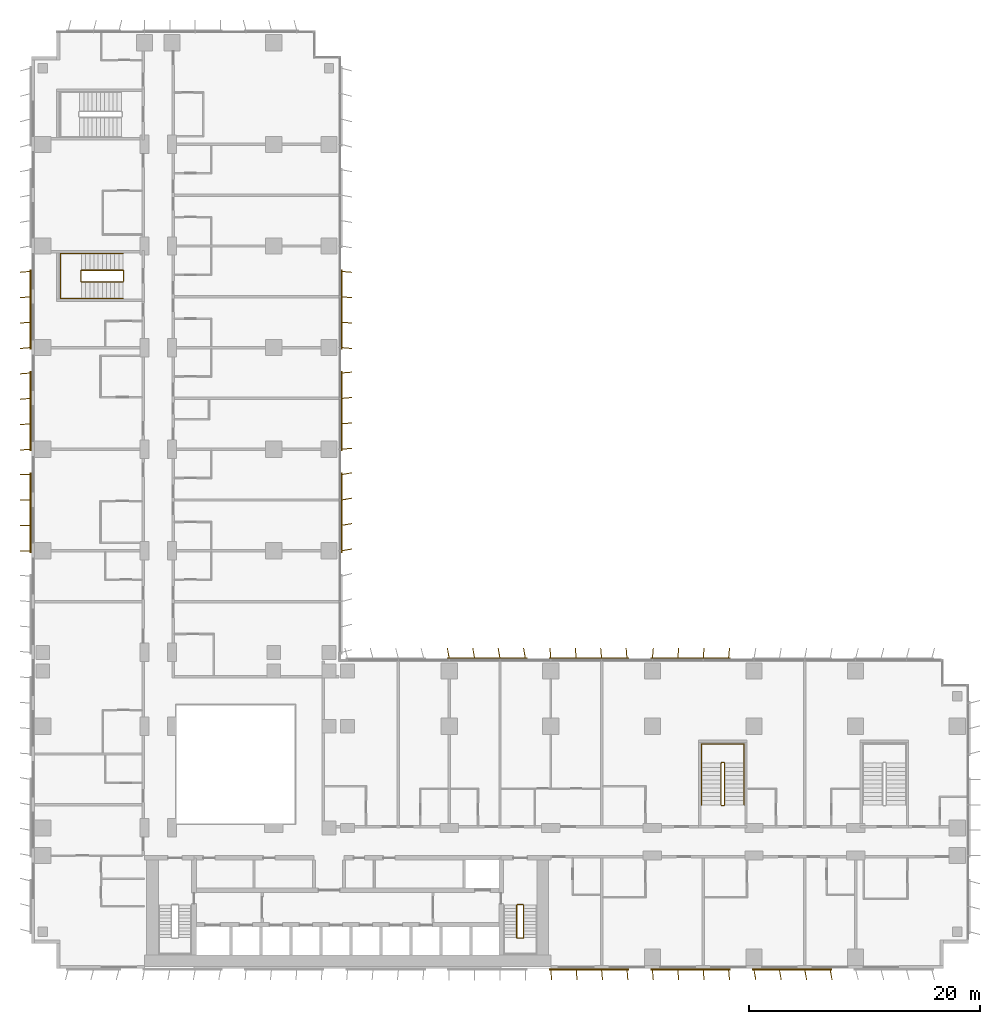
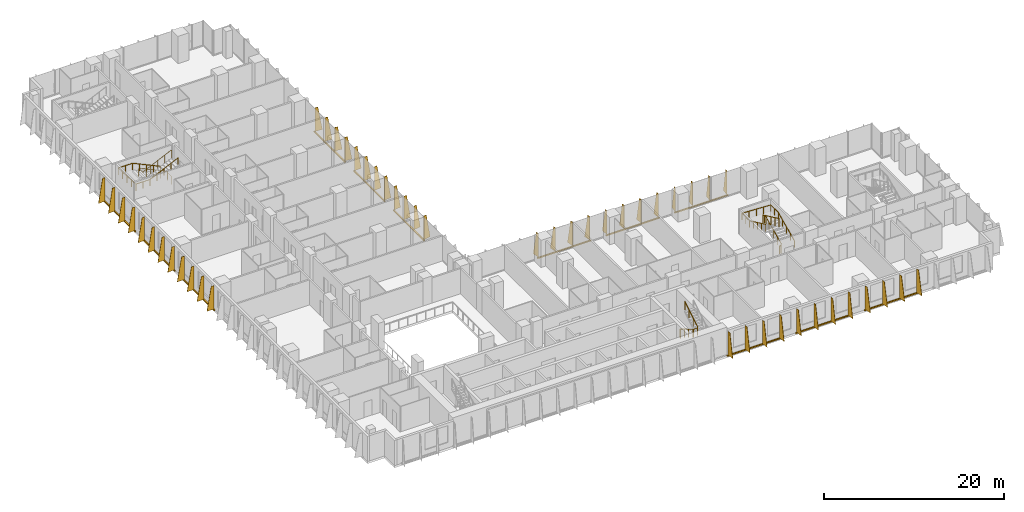
# One storey, part 22 of 24: 12 shading devices, 5 railings.
"""IFC4 building model written with IfcOpenShell, lengths in metres."""

from ifc_helpers import new_model, si_unit, direction, frame, origin, origin_2d, place, context, subcontext, project, spatial, polyline, rectangle, circle, outline, extrude, source, transform, mapped, material, layer, layer_set, type_object, element, save


model = new_model("IFC4")

# Units and contexts
model_context = context("Model", 3, precision=1e-05, world=origin(), true_north=direction((0.0, 1.0)))
body_context = subcontext(model_context, "Body", "Model", "MODEL_VIEW")
ifc_project = project(units=[si_unit("LENGTHUNIT", "METRE"), si_unit("AREAUNIT", "SQUARE_METRE"), si_unit("VOLUMEUNIT", "CUBIC_METRE"), si_unit("PLANEANGLEUNIT", "RADIAN"), si_unit("MASSUNIT", "GRAM", prefix="KILO")], contexts=[model_context])

# Site, building, storey
site_placement = place(None, origin())
site = spatial("IfcSite", under=ifc_project, at=site_placement, CompositionType="ELEMENT")
building_placement = place(site_placement, origin())
building = spatial("IfcBuilding", under=site, at=building_placement, Name="Kemantara Hotel Tower", CompositionType="ELEMENT")
storey_placement = place(building_placement, frame((0.0, 0.0, 56.199951171875)))
storey = spatial("IfcBuildingStorey", under=building, at=storey_placement, Name="L12", CompositionType="ELEMENT", Elevation=56.199951171875)

# Railings
ifc_material_1 = material(Name="Stainless steel balustrade", Category="steel")
railing_type_1 = type_object("IfcRailingType", Name="Stair guard 1100 mm", PredefinedType="GUARDRAIL", material=ifc_material_1)
railing_1_placement = place(storey_placement, frame((42.64990234375, 5.5, 3.699951171875)))
element("IfcRailing", 1, at=railing_1_placement, inside=storey, type_object=railing_type_1, Name="L12 ST2 stair guard 1", PredefinedType="GUARDRAIL", context=body_context, shape_type="SweptSolid", body=[
    extrude(circle(Radius=0.02392578125, at=origin_2d()), frame((0.0, 0.0, 1.076171875), z_axis=(0.0, -0.857275202839, -0.514858452973), x_axis=(1.0, 0.0, 0.0)), (0.0, 0.0, 1.0), 3.26611328125),
    extrude(circle(Radius=0.02392578125, at=origin_2d()), frame((0.0, -2.800048828125, -0.60546875), z_axis=(-0.273006030465, -0.27434429532, -0.922064485248), x_axis=(0.708833529934, -0.705375805398, 0.0)), (0.0, 0.0, 1.0), 0.182373046875),
    extrude(circle(Radius=0.02392578125, at=origin_2d()), frame((-0.0498046875, -2.85009765625, -0.77392578125), z_axis=(-1.0, 0.0, 0.0), x_axis=(0.0, -1.0, 0.0)), (0.0, 0.0, 1.0), 0.5),
    extrude(circle(Radius=0.02392578125, at=origin_2d()), frame((-0.5498046875, -2.85009765625, -0.77392578125), z_axis=(-0.707106781187, 0.707106781187, 0.0), x_axis=(-0.707106781187, -0.707106781187, 0.0)), (0.0, 0.0, 1.0), 0.07080078125),
    extrude(circle(Radius=0.02392578125, at=origin_2d()), frame((-0.599853515625, -2.800048828125, -0.77392578125), z_axis=(0.0, 0.857242210791, -0.514913383045), x_axis=(-1.0, 0.0, 0.0)), (0.0, 0.0, 1.0), 3.266357421875),
    extrude(circle(Radius=0.02392578125, at=origin_2d()), frame((-0.599853515625, 0.0, -2.45556640625), z_axis=(0.274243871929, 0.274243871929, -0.92172696468), x_axis=(-0.707106781187, 0.707106781187, 0.0)), (0.0, 0.0, 1.0), 0.1826171875),
    extrude(circle(Radius=0.02392578125, at=origin_2d()), frame((-0.5498046875, 0.050048828125, -2.6240234375), z_axis=(1.0, 0.0, 0.0), x_axis=(0.0, 1.0, 0.0)), (0.0, 0.0, 1.0), 0.5),
    extrude(circle(Radius=0.02099609375, at=origin_2d()), origin(), (0.0, 0.0, 1.0), 1.052001953125),
    extrude(circle(Radius=0.02099609375, at=origin_2d()), frame((0.0, -0.933349609375, -0.560546875)), (0.0, 0.0, 1.0), 1.052001953125),
    extrude(circle(Radius=0.02099609375, at=origin_2d()), frame((0.0, -1.86669921875, -1.12109375)), (0.0, 0.0, 1.0), 1.052001953125),
    extrude(circle(Radius=0.02099609375, at=origin_2d()), frame((0.0, -2.800048828125, -1.681640625)), (0.0, 0.0, 1.0), 1.052001953125),
    extrude(circle(Radius=0.02099609375, at=origin_2d()), frame((-0.0498046875, -2.85009765625, -1.849853515625)), (0.0, 0.0, 1.0), 1.052001953125),
    extrude(circle(Radius=0.02099609375, at=origin_2d()), frame((-0.5498046875, -2.85009765625, -1.849853515625)), (0.0, 0.0, 1.0), 1.052001953125),
    extrude(circle(Radius=0.02099609375, at=origin_2d()), frame((-0.599853515625, -2.800048828125, -1.849853515625)), (0.0, 0.0, 1.0), 1.052001953125),
    extrude(circle(Radius=0.02099609375, at=origin_2d()), frame((-0.599853515625, -1.86669921875, -2.410400390625)), (0.0, 0.0, 1.0), 1.052001953125),
    extrude(circle(Radius=0.02099609375, at=origin_2d()), frame((-0.599853515625, -0.933349609375, -2.97119140625)), (0.0, 0.0, 1.0), 1.052001953125),
    extrude(circle(Radius=0.02099609375, at=origin_2d()), frame((-0.599853515625, 0.0, -3.53173828125)), (0.0, 0.0, 1.0), 1.052001953125),
    extrude(circle(Radius=0.02099609375, at=origin_2d()), frame((-0.5498046875, 0.050048828125, -3.699951171875)), (0.0, 0.0, 1.0), 1.052001953125),
    extrude(circle(Radius=0.02099609375, at=origin_2d()), frame((-0.0498046875, 0.050048828125, -3.699951171875)), (0.0, 0.0, 1.0), 1.052001953125),
])
railing_2_placement = place(storey_placement, frame((59.75, 14.199951171875, 3.699951171875)))
element("IfcRailing", 2, at=railing_2_placement, inside=storey, type_object=railing_type_1, Name="L12 ST3 stair guard 1", PredefinedType="GUARDRAIL", context=body_context, shape_type="SweptSolid", body=[
    extrude(circle(Radius=0.02392578125, at=origin_2d()), frame((0.0, 0.0, 1.076171875), z_axis=(0.0, 0.906029249863, -0.423215073447), x_axis=(-1.0, 0.0, 0.0)), (0.0, 0.0, 1.0), 3.973388671875),
    extrude(circle(Radius=0.02392578125, at=origin_2d()), frame((0.0, 3.60009765625, -0.60546875), z_axis=(0.274243871929, 0.274243871929, -0.92172696468), x_axis=(-0.707106781187, 0.707106781187, 0.0)), (0.0, 0.0, 1.0), 0.1826171875),
    extrude(circle(Radius=0.02392578125, at=origin_2d()), frame((0.050048828125, 3.650146484375, -0.77392578125), z_axis=(1.0, 0.0, 0.0), x_axis=(0.0, 1.0, 0.0)), (0.0, 0.0, 1.0), 0.199951171875),
    extrude(circle(Radius=0.02392578125, at=origin_2d()), frame((0.25, 3.650146484375, -0.77392578125), z_axis=(0.707106781187, -0.707106781187, 0.0), x_axis=(0.707106781187, 0.707106781187, 0.0)), (0.0, 0.0, 1.0), 0.07080078125),
    extrude(circle(Radius=0.02392578125, at=origin_2d()), frame((0.300048828125, 3.60009765625, -0.77392578125), z_axis=(0.0, -0.906005689286, -0.423265508849), x_axis=(1.0, 0.0, 0.0)), (0.0, 0.0, 1.0), 3.9736328125),
    extrude(circle(Radius=0.02392578125, at=origin_2d()), frame((0.300048828125, 0.0, -2.45556640625), z_axis=(-0.274243871929, -0.274243871929, -0.92172696468), x_axis=(0.707106781187, -0.707106781187, 0.0)), (0.0, 0.0, 1.0), 0.1826171875),
    extrude(circle(Radius=0.02392578125, at=origin_2d()), frame((0.25, -0.050048828125, -2.6240234375), z_axis=(-1.0, 0.0, 0.0), x_axis=(0.0, -1.0, 0.0)), (0.0, 0.0, 1.0), 0.199951171875),
    extrude(circle(Radius=0.02099609375, at=origin_2d()), origin(), (0.0, 0.0, 1.0), 1.052001953125),
    extrude(circle(Radius=0.02099609375, at=origin_2d()), frame((0.0, 0.89990234375, -0.42041015625)), (0.0, 0.0, 1.0), 1.052001953125),
    extrude(circle(Radius=0.02099609375, at=origin_2d()), frame((0.0, 1.800048828125, -0.8408203125)), (0.0, 0.0, 1.0), 1.052001953125),
    extrude(circle(Radius=0.02099609375, at=origin_2d()), frame((0.0, 2.7001953125, -1.26123046875)), (0.0, 0.0, 1.0), 1.052001953125),
    extrude(circle(Radius=0.02099609375, at=origin_2d()), frame((0.0, 3.60009765625, -1.681640625)), (0.0, 0.0, 1.0), 1.052001953125),
    extrude(circle(Radius=0.02099609375, at=origin_2d()), frame((0.050048828125, 3.650146484375, -1.849853515625)), (0.0, 0.0, 1.0), 1.052001953125),
    extrude(circle(Radius=0.02099609375, at=origin_2d()), frame((0.25, 3.650146484375, -1.849853515625)), (0.0, 0.0, 1.0), 1.052001953125),
    extrude(circle(Radius=0.02099609375, at=origin_2d()), frame((0.300048828125, 3.60009765625, -1.849853515625)), (0.0, 0.0, 1.0), 1.052001953125),
    extrude(circle(Radius=0.02099609375, at=origin_2d()), frame((0.300048828125, 2.7001953125, -2.270263671875)), (0.0, 0.0, 1.0), 1.052001953125),
    extrude(circle(Radius=0.02099609375, at=origin_2d()), frame((0.300048828125, 1.800048828125, -2.69091796875)), (0.0, 0.0, 1.0), 1.052001953125),
    extrude(circle(Radius=0.02099609375, at=origin_2d()), frame((0.300048828125, 0.89990234375, -3.111328125)), (0.0, 0.0, 1.0), 1.052001953125),
    extrude(circle(Radius=0.02099609375, at=origin_2d()), frame((0.300048828125, 0.0, -3.53173828125)), (0.0, 0.0, 1.0), 1.052001953125),
    extrude(circle(Radius=0.02099609375, at=origin_2d()), frame((0.25, -0.050048828125, -3.699951171875)), (0.0, 0.0, 1.0), 1.052001953125),
    extrude(circle(Radius=0.02099609375, at=origin_2d()), frame((0.050048828125, -0.050048828125, -3.699951171875)), (0.0, 0.0, 1.0), 1.052001953125),
])
railing_3_placement = place(storey_placement, frame((7.949951171875, 59.5, 3.699951171875)))
element("IfcRailing", 3, at=railing_3_placement, inside=storey, type_object=railing_type_1, Name="L12 ST4 stair guard 1", PredefinedType="GUARDRAIL", context=body_context, shape_type="SweptSolid", body=[
    extrude(circle(Radius=0.02392578125, at=origin_2d()), frame((0.0, 0.0, 1.076171875), z_axis=(-0.906018243939, 0.0, -0.423238634402), x_axis=(0.0, -1.0, 0.0)), (0.0, 0.0, 1.0), 3.973388671875),
    extrude(circle(Radius=0.02392578125, at=origin_2d()), frame((-3.599853515625, 0.0, -0.60546875), z_axis=(-0.274243871929, 0.274243871929, -0.92172696468), x_axis=(-0.707106781187, -0.707106781187, 0.0)), (0.0, 0.0, 1.0), 0.1826171875),
    extrude(circle(Radius=0.02392578125, at=origin_2d()), frame((-3.64990234375, 0.050048828125, -0.77392578125), z_axis=(0.0, 1.0, 0.0), x_axis=(-1.0, 0.0, 0.0)), (0.0, 0.0, 1.0), 0.89990234375),
    extrude(circle(Radius=0.02392578125, at=origin_2d()), frame((-3.64990234375, 0.949951171875, -0.77392578125), z_axis=(0.707106781187, 0.707106781187, 0.0), x_axis=(-0.707106781187, 0.707106781187, 0.0)), (0.0, 0.0, 1.0), 0.07080078125),
    extrude(circle(Radius=0.02392578125, at=origin_2d()), frame((-3.599853515625, 1.0, -0.77392578125), z_axis=(0.905994681025, 0.0, -0.423289071386), x_axis=(0.0, 1.0, 0.0)), (0.0, 0.0, 1.0), 3.973388671875),
    extrude(circle(Radius=0.02392578125, at=origin_2d()), frame((0.0, 1.0, -2.45556640625), z_axis=(0.274243871929, -0.274243871929, -0.92172696468), x_axis=(0.707106781187, 0.707106781187, 0.0)), (0.0, 0.0, 1.0), 0.1826171875),
    extrude(circle(Radius=0.02392578125, at=origin_2d()), frame((0.050048828125, 0.949951171875, -2.6240234375), z_axis=(0.0, -1.0, 0.0), x_axis=(1.0, 0.0, 0.0)), (0.0, 0.0, 1.0), 0.89990234375),
    extrude(circle(Radius=0.02099609375, at=origin_2d()), origin(), (0.0, 0.0, 1.0), 1.052001953125),
    extrude(circle(Radius=0.02099609375, at=origin_2d()), frame((-0.89990234375, 0.0, -0.42041015625)), (0.0, 0.0, 1.0), 1.052001953125),
    extrude(circle(Radius=0.02099609375, at=origin_2d()), frame((-1.7998046875, 0.0, -0.8408203125)), (0.0, 0.0, 1.0), 1.052001953125),
    extrude(circle(Radius=0.02099609375, at=origin_2d()), frame((-2.699951171875, 0.0, -1.26123046875)), (0.0, 0.0, 1.0), 1.052001953125),
    extrude(circle(Radius=0.02099609375, at=origin_2d()), frame((-3.599853515625, 0.0, -1.681640625)), (0.0, 0.0, 1.0), 1.052001953125),
    extrude(circle(Radius=0.02099609375, at=origin_2d()), frame((-3.64990234375, 0.050048828125, -1.849853515625)), (0.0, 0.0, 1.0), 1.052001953125),
    extrude(circle(Radius=0.02099609375, at=origin_2d()), frame((-3.64990234375, 0.949951171875, -1.849853515625)), (0.0, 0.0, 1.0), 1.052001953125),
    extrude(circle(Radius=0.02099609375, at=origin_2d()), frame((-3.599853515625, 1.0, -1.849853515625)), (0.0, 0.0, 1.0), 1.052001953125),
    extrude(circle(Radius=0.02099609375, at=origin_2d()), frame((-2.699951171875, 1.0, -2.270263671875)), (0.0, 0.0, 1.0), 1.052001953125),
    extrude(circle(Radius=0.02099609375, at=origin_2d()), frame((-1.7998046875, 1.0, -2.69091796875)), (0.0, 0.0, 1.0), 1.052001953125),
    extrude(circle(Radius=0.02099609375, at=origin_2d()), frame((-0.89990234375, 1.0, -3.111328125)), (0.0, 0.0, 1.0), 1.052001953125),
    extrude(circle(Radius=0.02099609375, at=origin_2d()), frame((0.0, 1.0, -3.53173828125)), (0.0, 0.0, 1.0), 1.052001953125),
    extrude(circle(Radius=0.02099609375, at=origin_2d()), frame((0.050048828125, 0.949951171875, -3.699951171875)), (0.0, 0.0, 1.0), 1.052001953125),
    extrude(circle(Radius=0.02099609375, at=origin_2d()), frame((0.050048828125, 0.050048828125, -3.699951171875)), (0.0, 0.0, 1.0), 1.052001953125),
])
railing_type_2 = type_object("IfcRailingType", Name="Stair handrail 900 mm", PredefinedType="HANDRAIL", material=ifc_material_1)
railing_4_placement = place(storey_placement, frame((61.75, 14.199951171875, 0.168212890625)))
element("IfcRailing", 4, at=railing_4_placement, inside=storey, type_object=railing_type_2, Name="L12 ST3 stair handrail 1", PredefinedType="HANDRAIL", context=body_context, shape_type="SweptSolid", body=[
    extrude(circle(Radius=0.02392578125, at=origin_2d()), frame((0.0, 0.0, 0.8759765625), z_axis=(0.0, 0.906005689286, 0.423265508849), x_axis=(-1.0, 0.0, 0.0)), (0.0, 0.0, 1.0), 3.9736328125),
    extrude(circle(Radius=0.02392578125, at=origin_2d()), frame((0.0, 3.60009765625, 2.5576171875), z_axis=(0.0, 1.0, 0.0), x_axis=(-1.0, 0.0, 0.0)), (0.0, 0.0, 1.0), 1.679931640625),
    extrude(circle(Radius=0.02392578125, at=origin_2d()), frame((0.0, 5.280029296875, 2.5576171875), z_axis=(-0.998968132438, 0.0, 0.045416631029), x_axis=(0.0, -1.0, 0.0)), (0.0, 0.0, 1.0), 3.703857421875),
    extrude(circle(Radius=0.02392578125, at=origin_2d()), frame((-3.699951171875, 5.280029296875, 2.72607421875), z_axis=(0.0, -1.0, 0.0), x_axis=(1.0, 0.0, 0.0)), (0.0, 0.0, 1.0), 1.679931640625),
    extrude(circle(Radius=0.02392578125, at=origin_2d()), frame((-3.699951171875, 3.60009765625, 2.72607421875), z_axis=(0.0, -0.906029249863, 0.423215073447), x_axis=(1.0, 0.0, 0.0)), (0.0, 0.0, 1.0), 3.973388671875),
    extrude(circle(Radius=0.02099609375, at=origin_2d()), origin(), (0.0, 0.0, 1.0), 0.851806640625),
    extrude(circle(Radius=0.02099609375, at=origin_2d()), frame((0.0, 0.89990234375, 0.42041015625)), (0.0, 0.0, 1.0), 0.851806640625),
    extrude(circle(Radius=0.02099609375, at=origin_2d()), frame((0.0, 1.800048828125, 0.8408203125)), (0.0, 0.0, 1.0), 0.851806640625),
    extrude(circle(Radius=0.02099609375, at=origin_2d()), frame((0.0, 2.7001953125, 1.261474609375)), (0.0, 0.0, 1.0), 0.851806640625),
    extrude(circle(Radius=0.02099609375, at=origin_2d()), frame((0.0, 3.60009765625, 1.681884765625)), (0.0, 0.0, 1.0), 0.851806640625),
    extrude(circle(Radius=0.02099609375, at=origin_2d()), frame((0.0, 4.43994140625, 1.681884765625)), (0.0, 0.0, 1.0), 0.851806640625),
    extrude(circle(Radius=0.02099609375, at=origin_2d()), frame((0.0, 5.280029296875, 1.681884765625)), (0.0, 0.0, 1.0), 0.851806640625),
    extrude(circle(Radius=0.02099609375, at=origin_2d()), frame((-0.925048828125, 5.280029296875, 1.723876953125)), (0.0, 0.0, 1.0), 0.851806640625),
    extrude(circle(Radius=0.02099609375, at=origin_2d()), frame((-1.85009765625, 5.280029296875, 1.76611328125)), (0.0, 0.0, 1.0), 0.851806640625),
    extrude(circle(Radius=0.02099609375, at=origin_2d()), frame((-2.77490234375, 5.280029296875, 1.80810546875)), (0.0, 0.0, 1.0), 0.851806640625),
    extrude(circle(Radius=0.02099609375, at=origin_2d()), frame((-3.699951171875, 5.280029296875, 1.85009765625)), (0.0, 0.0, 1.0), 0.851806640625),
    extrude(circle(Radius=0.02099609375, at=origin_2d()), frame((-3.699951171875, 4.43994140625, 1.85009765625)), (0.0, 0.0, 1.0), 0.851806640625),
    extrude(circle(Radius=0.02099609375, at=origin_2d()), frame((-3.699951171875, 3.60009765625, 1.85009765625)), (0.0, 0.0, 1.0), 0.851806640625),
    extrude(circle(Radius=0.02099609375, at=origin_2d()), frame((-3.699951171875, 2.7001953125, 2.2705078125)), (0.0, 0.0, 1.0), 0.851806640625),
    extrude(circle(Radius=0.02099609375, at=origin_2d()), frame((-3.699951171875, 1.800048828125, 2.69091796875)), (0.0, 0.0, 1.0), 0.851806640625),
    extrude(circle(Radius=0.02099609375, at=origin_2d()), frame((-3.699951171875, 0.89990234375, 3.111328125)), (0.0, 0.0, 1.0), 0.851806640625),
    extrude(circle(Radius=0.02099609375, at=origin_2d()), frame((-3.699951171875, 0.0, 3.53173828125)), (0.0, 0.0, 1.0), 0.851806640625),
])
railing_5_placement = place(storey_placement, frame((7.949951171875, 61.949951171875, 0.168212890625)))
element("IfcRailing", 5, at=railing_5_placement, inside=storey, type_object=railing_type_2, Name="L12 ST4 stair handrail 1", PredefinedType="HANDRAIL", context=body_context, shape_type="SweptSolid", body=[
    extrude(circle(Radius=0.02392578125, at=origin_2d()), frame((0.0, 0.0, 0.8759765625), z_axis=(-0.905994681025, 0.0, 0.423289071386), x_axis=(0.0, -1.0, 0.0)), (0.0, 0.0, 1.0), 3.973388671875),
    extrude(circle(Radius=0.02392578125, at=origin_2d()), frame((-3.599853515625, 0.0, 2.5576171875), z_axis=(-1.0, 0.0, 0.0), x_axis=(0.0, -1.0, 0.0)), (0.0, 0.0, 1.0), 1.830078125),
    extrude(circle(Radius=0.02392578125, at=origin_2d()), frame((-5.429931640625, 0.0, 2.5576171875), z_axis=(0.0, -0.999071085748, 0.043092523981), x_axis=(1.0, 0.0, 0.0)), (0.0, 0.0, 1.0), 3.903564453125),
    extrude(circle(Radius=0.02392578125, at=origin_2d()), frame((-5.429931640625, -3.89990234375, 2.72607421875), z_axis=(1.0, 0.0, 0.0), x_axis=(0.0, 1.0, 0.0)), (0.0, 0.0, 1.0), 1.830078125),
    extrude(circle(Radius=0.02392578125, at=origin_2d()), frame((-3.599853515625, -3.89990234375, 2.72607421875), z_axis=(0.906018243939, 0.0, 0.423238634402), x_axis=(0.0, 1.0, 0.0)), (0.0, 0.0, 1.0), 3.973388671875),
    extrude(circle(Radius=0.02099609375, at=origin_2d()), origin(), (0.0, 0.0, 1.0), 0.851806640625),
    extrude(circle(Radius=0.02099609375, at=origin_2d()), frame((-0.89990234375, 0.0, 0.42041015625)), (0.0, 0.0, 1.0), 0.851806640625),
    extrude(circle(Radius=0.02099609375, at=origin_2d()), frame((-1.7998046875, 0.0, 0.8408203125)), (0.0, 0.0, 1.0), 0.851806640625),
    extrude(circle(Radius=0.02099609375, at=origin_2d()), frame((-2.699951171875, 0.0, 1.261474609375)), (0.0, 0.0, 1.0), 0.851806640625),
    extrude(circle(Radius=0.02099609375, at=origin_2d()), frame((-3.599853515625, 0.0, 1.681884765625)), (0.0, 0.0, 1.0), 0.851806640625),
    extrude(circle(Radius=0.02099609375, at=origin_2d()), frame((-4.514892578125, 0.0, 1.681884765625)), (0.0, 0.0, 1.0), 0.851806640625),
    extrude(circle(Radius=0.02099609375, at=origin_2d()), frame((-5.429931640625, 0.0, 1.681884765625)), (0.0, 0.0, 1.0), 0.851806640625),
    extrude(circle(Radius=0.02099609375, at=origin_2d()), frame((-5.429931640625, -0.97509765625, 1.723876953125)), (0.0, 0.0, 1.0), 0.851806640625),
    extrude(circle(Radius=0.02099609375, at=origin_2d()), frame((-5.429931640625, -1.949951171875, 1.76611328125)), (0.0, 0.0, 1.0), 0.851806640625),
    extrude(circle(Radius=0.02099609375, at=origin_2d()), frame((-5.429931640625, -2.9248046875, 1.80810546875)), (0.0, 0.0, 1.0), 0.851806640625),
    extrude(circle(Radius=0.02099609375, at=origin_2d()), frame((-5.429931640625, -3.89990234375, 1.85009765625)), (0.0, 0.0, 1.0), 0.851806640625),
    extrude(circle(Radius=0.02099609375, at=origin_2d()), frame((-4.514892578125, -3.89990234375, 1.85009765625)), (0.0, 0.0, 1.0), 0.851806640625),
    extrude(circle(Radius=0.02099609375, at=origin_2d()), frame((-3.599853515625, -3.89990234375, 1.85009765625)), (0.0, 0.0, 1.0), 0.851806640625),
    extrude(circle(Radius=0.02099609375, at=origin_2d()), frame((-2.699951171875, -3.89990234375, 2.2705078125)), (0.0, 0.0, 1.0), 0.851806640625),
    extrude(circle(Radius=0.02099609375, at=origin_2d()), frame((-1.7998046875, -3.89990234375, 2.69091796875)), (0.0, 0.0, 1.0), 0.851806640625),
    extrude(circle(Radius=0.02099609375, at=origin_2d()), frame((-0.89990234375, -3.89990234375, 3.111328125)), (0.0, 0.0, 1.0), 0.851806640625),
    extrude(circle(Radius=0.02099609375, at=origin_2d()), frame((0.0, -3.89990234375, 3.53173828125)), (0.0, 0.0, 1.0), 0.851806640625),
])

# Shading devices
ifc_material_2 = material(Name="Perforated aluminium plate 4 mm bronze anodised", Category="aluminium")
ifc_layer_1 = layer(ifc_material_2, 0.0400390625)
ifc_layer_set_1 = layer_set([ifc_layer_1], Name="Perforated aluminium plate 4 mm bronze anodised")
shading_device_type_1 = type_object("IfcShadingDeviceType", Name="SCREEN FIN CASSETTE, 4 BLADES AT -5.0 DEG, 3200 HIGH", PredefinedType="USERDEFINED", material=ifc_layer_set_1)
shared_shape_1 = source(origin(), body_context, "Body", "SweptSolid", [
    extrude(rectangle(XDim=6.89990234375, YDim=0.14990234375, at=origin_2d()), frame((3.300048828125, -0.074951171875, -0.14990234375), z_axis=(0.0, 0.0, 1.0), x_axis=(1.0, 0.0, 0.0)), (0.0, 0.0, 1.0), 0.14990234375),
    extrude(outline(polyline([(0.0, 0.0), (0.89990234375, 0.0), (0.35009765625, 3.199951171875), (0.0, 3.199951171875), (0.0, 0.0)])), frame((0.02001953125, -0.07666015625, 0.0), z_axis=(-0.996376129781, 0.085056498884, 0.0), x_axis=(-0.085056498884, -0.996376129781, 0.0)), (0.0, 0.0, 1.0), 0.040283203125),
    extrude(outline(polyline([(0.0, 0.0), (0.89990234375, 0.0), (0.35009765625, 3.199951171875), (0.0, 3.199951171875), (0.0, 0.0)])), frame((2.219970703125, -0.07666015625, 0.0), z_axis=(-0.996331773833, 0.085574508182, 0.0), x_axis=(-0.085574508182, -0.996331773833, 0.0)), (0.0, 0.0, 1.0), 0.0400390625),
    extrude(outline(polyline([(0.0, 0.0), (0.89990234375, 0.0), (0.35009765625, 3.199951171875), (0.0, 3.199951171875), (0.0, 0.0)])), frame((4.419921875, -0.07666015625, 0.0), z_axis=(-0.996331773833, 0.085574508182, 0.0), x_axis=(-0.085574508182, -0.996331773833, 0.0)), (0.0, 0.0, 1.0), 0.0400390625),
    extrude(outline(polyline([(0.0, 0.0), (0.89990234375, 0.0), (0.35009765625, 3.199951171875), (0.0, 3.199951171875), (0.0, 0.0)])), frame((6.619873046875, -0.07666015625, 0.0), z_axis=(-0.996331773833, 0.085574508182, 0.0), x_axis=(-0.085574508182, -0.996331773833, 0.0)), (0.0, 0.0, 1.0), 0.0400390625),
])
for number, where, z_axis, x_axis, name in (
    (6, (60.39990234375, 26.800048828125, 0.10009765625), (0.0, 0.0, 1.0), (-1.0, 0.0, 0.0), "SCREEN FIN CASSETTE L12 T1-R07-3"),
    (7, (26.800048828125, 53.800048828125, 0.10009765625), (0.0, 0.0, 1.0), (0.0, 1.0, 0.0), "SCREEN FIN CASSETTE L12 T1-R08-4"),
):
    element("IfcShadingDevice", number, at=place(storey_placement, frame(where, z_axis=z_axis, x_axis=x_axis)), inside=storey, type_object=shading_device_type_1, Name=name, ObjectType="SCREEN FIN", PredefinedType="USERDEFINED", context=body_context, shape_type="MappedRepresentation", body=[
        mapped(shared_shape_1, transform((0.0, 0.0, 0.0))),
    ])
ifc_layer_2 = layer(ifc_material_2, 0.0400390625)
ifc_layer_set_2 = layer_set([ifc_layer_2], Name="Perforated aluminium plate 4 mm bronze anodised")
shading_device_type_2 = type_object("IfcShadingDeviceType", Name="SCREEN FIN CASSETTE, 4 BLADES AT +0.0 DEG, 3200 HIGH", PredefinedType="USERDEFINED", material=ifc_layer_set_2)
shared_shape_2 = source(origin(), body_context, "Body", "SweptSolid", [
    extrude(rectangle(XDim=6.89990234375, YDim=0.14990234375, at=origin_2d()), frame((3.300048828125, -0.074951171875, -0.14990234375), z_axis=(0.0, 0.0, 1.0), x_axis=(1.0, 0.0, 0.0)), (0.0, 0.0, 1.0), 0.14990234375),
    extrude(outline(polyline([(0.0, 0.0), (0.89990234375, 0.0), (0.35009765625, 3.199951171875), (0.0, 3.199951171875), (0.0, 0.0)])), frame((0.02001953125, -0.074951171875, 0.0), z_axis=(-1.0, 0.0, 0.0), x_axis=(0.0, -1.0, 0.0)), (0.0, 0.0, 1.0), 0.0400390625),
    extrude(outline(polyline([(0.0, 0.0), (0.89990234375, 0.0), (0.35009765625, 3.199951171875), (0.0, 3.199951171875), (0.0, 0.0)])), frame((2.219970703125, -0.074951171875, 0.0), z_axis=(-1.0, 0.0, 0.0), x_axis=(0.0, -1.0, 0.0)), (0.0, 0.0, 1.0), 0.0400390625),
    extrude(outline(polyline([(0.0, 0.0), (0.89990234375, 0.0), (0.35009765625, 3.199951171875), (0.0, 3.199951171875), (0.0, 0.0)])), frame((4.419921875, -0.074951171875, 0.0), z_axis=(-1.0, 0.0, 0.0), x_axis=(0.0, -1.0, 0.0)), (0.0, 0.0, 1.0), 0.0400390625),
    extrude(outline(polyline([(0.0, 0.0), (0.89990234375, 0.0), (0.35009765625, 3.199951171875), (0.0, 3.199951171875), (0.0, 0.0)])), frame((6.6201171875, -0.074951171875, 0.0), z_axis=(-1.0, 0.0, 0.0), x_axis=(0.0, -1.0, 0.0)), (0.0, 0.0, 1.0), 0.0400390625),
])
shading_device_placement = place(storey_placement, frame((0.0, 42.800048828125, 0.10009765625), z_axis=(0.0, 0.0, 1.0), x_axis=(0.0, -1.0, 0.0)))
element("IfcShadingDevice", 8, at=shading_device_placement, inside=storey, type_object=shading_device_type_2, Name="SCREEN FIN CASSETTE L12 T1-R14-5", ObjectType="SCREEN FIN", PredefinedType="USERDEFINED", context=body_context, shape_type="MappedRepresentation", body=[
    mapped(shared_shape_2, transform((0.0, 0.0, 0.0))),
])
ifc_layer_3 = layer(ifc_material_2, 0.0400390625)
ifc_layer_set_3 = layer_set([ifc_layer_3], Name="Perforated aluminium plate 4 mm bronze anodised")
shading_device_type_3 = type_object("IfcShadingDeviceType", Name="SCREEN FIN CASSETTE, 4 BLADES AT +5.0 DEG, 3200 HIGH", PredefinedType="USERDEFINED", material=ifc_layer_set_3)
shared_shape_3 = source(origin(), body_context, "Body", "SweptSolid", [
    extrude(rectangle(XDim=6.89990234375, YDim=0.14990234375, at=origin_2d()), frame((3.300048828125, -0.074951171875, -0.14990234375), z_axis=(0.0, 0.0, 1.0), x_axis=(1.0, 0.0, 0.0)), (0.0, 0.0, 1.0), 0.14990234375),
    extrude(outline(polyline([(0.0, 0.0), (0.89990234375, 0.0), (0.35009765625, 3.199951171875), (0.0, 3.199951171875), (0.0, 0.0)])), frame((0.02001953125, -0.0732421875, 0.0), z_axis=(-0.996376129781, -0.085056498884, 0.0), x_axis=(0.085056498884, -0.996376129781, 0.0)), (0.0, 0.0, 1.0), 0.040283203125),
    extrude(outline(polyline([(0.0, 0.0), (0.89990234375, 0.0), (0.35009765625, 3.199951171875), (0.0, 3.199951171875), (0.0, 0.0)])), frame((2.219970703125, -0.0732421875, 0.0), z_axis=(-0.996331773833, -0.085574508182, 0.0), x_axis=(0.085574508182, -0.996331773833, 0.0)), (0.0, 0.0, 1.0), 0.0400390625),
    extrude(outline(polyline([(0.0, 0.0), (0.89990234375, 0.0), (0.35009765625, 3.199951171875), (0.0, 3.199951171875), (0.0, 0.0)])), frame((4.419921875, -0.0732421875, 0.0), z_axis=(-0.996331773833, -0.085574508182, 0.0), x_axis=(0.085574508182, -0.996331773833, 0.0)), (0.0, 0.0, 1.0), 0.0400390625),
    extrude(outline(polyline([(0.0, 0.0), (0.89990234375, 0.0), (0.35009765625, 3.199951171875), (0.0, 3.199951171875), (0.0, 0.0)])), frame((6.619873046875, -0.0732421875, 0.0), z_axis=(-0.996331773833, -0.085574508182, 0.0), x_axis=(0.085574508182, -0.996331773833, 0.0)), (0.0, 0.0, 1.0), 0.0400390625),
])
for number, where, z_axis, x_axis, name in (
    (9, (45.0, 0.0, 0.10009765625), (0.0, 0.0, 1.0), (1.0, 0.0, 0.0), "SCREEN FIN CASSETTE L12 T1-R01-6"),
    (10, (53.800048828125, 0.0, 0.10009765625), (0.0, 0.0, 1.0), (1.0, 0.0, 0.0), "SCREEN FIN CASSETTE L12 T1-R01-7"),
    (11, (51.60009765625, 26.800048828125, 0.10009765625), (0.0, 0.0, 1.0), (-1.0, 0.0, 0.0), "SCREEN FIN CASSETTE L12 T1-R07-4"),
    (12, (26.800048828125, 45.0, 0.10009765625), (0.0, 0.0, 1.0), (0.0, 1.0, 0.0), "SCREEN FIN CASSETTE L12 T1-R08-3"),
    (13, (0.0, 60.39990234375, 0.10009765625), (0.0, 0.0, 1.0), (0.0, -1.0, 0.0), "SCREEN FIN CASSETTE L12 T1-R14-3"),
    (14, (0.0, 51.60009765625, 0.10009765625), (0.0, 0.0, 1.0), (0.0, -1.0, 0.0), "SCREEN FIN CASSETTE L12 T1-R14-4"),
):
    element("IfcShadingDevice", number, at=place(storey_placement, frame(where, z_axis=z_axis, x_axis=x_axis)), inside=storey, type_object=shading_device_type_3, Name=name, ObjectType="SCREEN FIN", PredefinedType="USERDEFINED", context=body_context, shape_type="MappedRepresentation", body=[
        mapped(shared_shape_3, transform((0.0, 0.0, 0.0))),
    ])
ifc_layer_4 = layer(ifc_material_2, 0.0400390625)
ifc_layer_set_4 = layer_set([ifc_layer_4], Name="Perforated aluminium plate 4 mm bronze anodised")
shading_device_type_4 = type_object("IfcShadingDeviceType", Name="SCREEN FIN CASSETTE, 4 BLADES AT +10.0 DEG, 3200 HIGH", PredefinedType="USERDEFINED", material=ifc_layer_set_4)
shared_shape_4 = source(origin(), body_context, "Body", "SweptSolid", [
    extrude(rectangle(XDim=6.89990234375, YDim=0.14990234375, at=origin_2d()), frame((3.300048828125, -0.074951171875, -0.14990234375), z_axis=(0.0, 0.0, 1.0), x_axis=(1.0, 0.0, 0.0)), (0.0, 0.0, 1.0), 0.14990234375),
    extrude(outline(polyline([(0.0, 0.0), (0.89990234375, 0.0), (0.35009765625, 3.199951171875), (0.0, 3.199951171875), (0.0, 0.0)])), frame((0.019775390625, -0.071533203125, 0.0), z_axis=(-0.985389793052, -0.170314285219, 0.0), x_axis=(0.170314285219, -0.985389793052, 0.0)), (0.0, 0.0, 1.0), 0.0400390625),
    extrude(outline(polyline([(0.0, 0.0), (0.89990234375, 0.0), (0.35009765625, 3.199951171875), (0.0, 3.199951171875), (0.0, 0.0)])), frame((2.2197265625, -0.071533203125, 0.0), z_axis=(-0.98521175482, -0.171341174751, 0.0), x_axis=(0.171341174751, -0.98521175482, 0.0)), (0.0, 0.0, 1.0), 0.039794921875),
    extrude(outline(polyline([(0.0, 0.0), (0.89990234375, 0.0), (0.35009765625, 3.199951171875), (0.0, 3.199951171875), (0.0, 0.0)])), frame((4.419677734375, -0.071533203125, 0.0), z_axis=(-0.98521175482, -0.171341174751, 0.0), x_axis=(0.171341174751, -0.98521175482, 0.0)), (0.0, 0.0, 1.0), 0.039794921875),
    extrude(outline(polyline([(0.0, 0.0), (0.89990234375, 0.0), (0.35009765625, 3.199951171875), (0.0, 3.199951171875), (0.0, 0.0)])), frame((6.61962890625, -0.071533203125, 0.0), z_axis=(-0.98521175482, -0.171341174751, 0.0), x_axis=(0.171341174751, -0.98521175482, 0.0)), (0.0, 0.0, 1.0), 0.039794921875),
])
for number, where, z_axis, x_axis, name in (
    (15, (62.60009765625, 0.0, 0.10009765625), (0.0, 0.0, 1.0), (1.0, 0.0, 0.0), "SCREEN FIN CASSETTE L12 T1-R01-8"),
    (16, (42.800048828125, 26.800048828125, 0.10009765625), (0.0, 0.0, 1.0), (-1.0, 0.0, 0.0), "SCREEN FIN CASSETTE L12 T1-R07-5"),
    (17, (26.800048828125, 36.199951171875, 0.10009765625), (0.0, 0.0, 1.0), (0.0, 1.0, 0.0), "SCREEN FIN CASSETTE L12 T1-R08-2"),
):
    element("IfcShadingDevice", number, at=place(storey_placement, frame(where, z_axis=z_axis, x_axis=x_axis)), inside=storey, type_object=shading_device_type_4, Name=name, ObjectType="SCREEN FIN", PredefinedType="USERDEFINED", context=body_context, shape_type="MappedRepresentation", body=[
        mapped(shared_shape_4, transform((0.0, 0.0, 0.0))),
    ])

save(model, "model.ifc")
